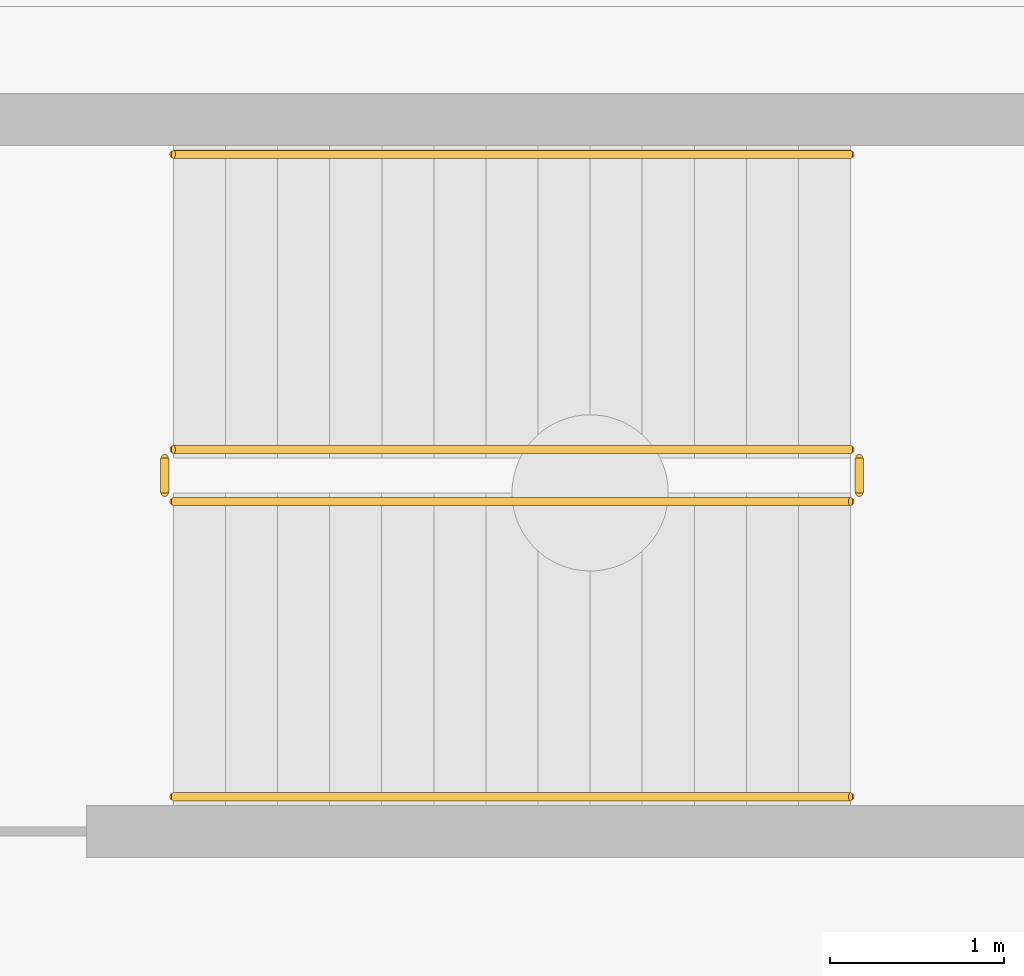
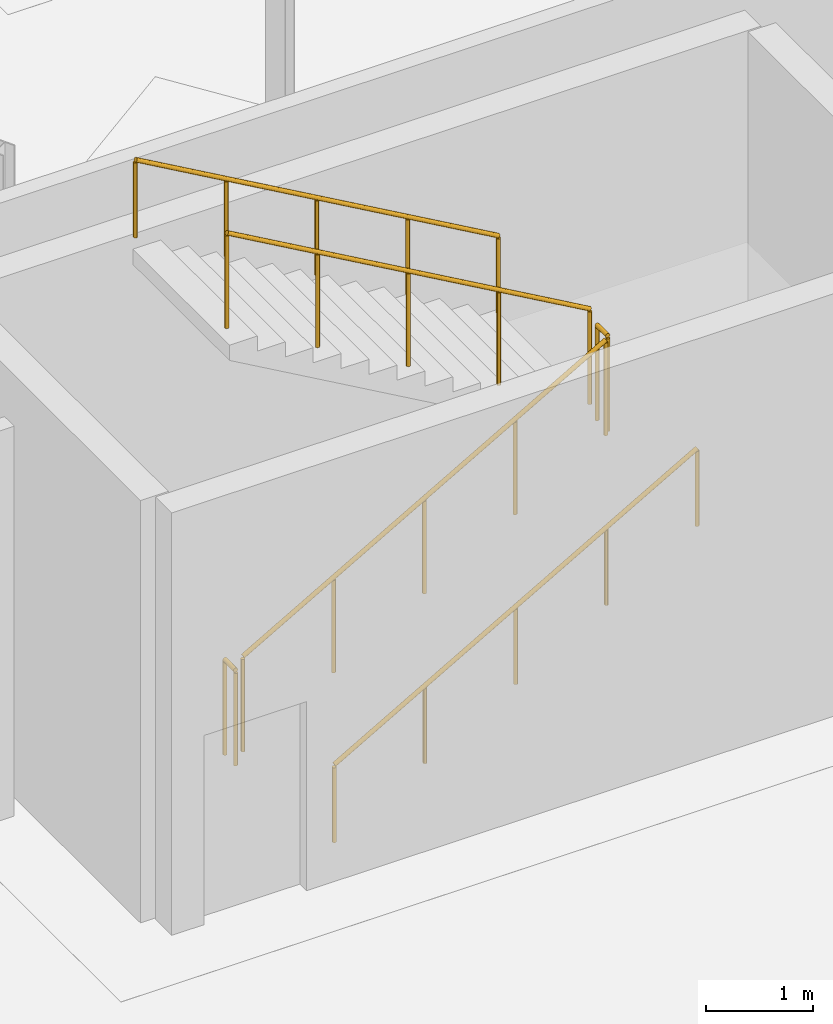
# One storey, part 133 of 136: 6 railings.
"""IFC4 building model written with IfcOpenShell, lengths in metres."""

from ifc_helpers import new_model, si_unit, direction, frame, origin, origin_2d, place, context, subcontext, project, spatial, circle, extrude, material, type_object, element, save


model = new_model("IFC4")

# Units and contexts
model_context = context("Model", 3, precision=1e-05, world=origin(), true_north=direction((0.0, 1.0)))
body_context = subcontext(model_context, "Body", "Model", "MODEL_VIEW")
ifc_project = project(units=[si_unit("LENGTHUNIT", "METRE"), si_unit("AREAUNIT", "SQUARE_METRE"), si_unit("VOLUMEUNIT", "CUBIC_METRE"), si_unit("PLANEANGLEUNIT", "RADIAN"), si_unit("MASSUNIT", "GRAM", prefix="KILO")], contexts=[model_context])

# Site, building, storey
site_placement = place(None, origin())
site = spatial("IfcSite", under=ifc_project, at=site_placement, CompositionType="ELEMENT")
building_placement = place(site_placement, origin())
building = spatial("IfcBuilding", under=site, at=building_placement, Name="Tarnwether General Hospital", CompositionType="ELEMENT")
storey_placement = place(building_placement, frame((0.0, 0.0, -4.800048828125)))
storey = spatial("IfcBuildingStorey", under=building, at=storey_placement, Name="LG", CompositionType="ELEMENT", Elevation=-4.800048828125)

# Railings
ifc_material_1 = material(Name="Anodised aluminium", Category="aluminium")
railing_type_1 = type_object("IfcRailingType", Name="RL-GRD-INT", PredefinedType="GUARDRAIL", material=ifc_material_1)
railing_1_placement = place(storey_placement, frame((113.39990234375, 19.550048828125, 0.17138671875)))
element("IfcRailing", 1, at=railing_1_placement, inside=storey, type_object=railing_type_1, Name="LG ST-10 stair guard 1", PredefinedType="GUARDRAIL", context=body_context, shape_type="SweptSolid", body=[
    extrude(circle(Radius=0.02392578125, at=origin_2d()), frame((0.0, 0.0, 1.076171875), z_axis=(0.868233108195, 0.0, 0.496156497321), x_axis=(0.0, 1.0, 0.0)), (0.0, 0.0, 1.0), 4.491943359375),
    extrude(circle(Radius=0.02099609375, at=origin_2d()), origin(), (0.0, 0.0, 1.0), 1.052001953125),
    extrude(circle(Radius=0.02099609375, at=origin_2d()), frame((0.97509765625, 0.0, 0.55712890625)), (0.0, 0.0, 1.0), 1.052001953125),
    extrude(circle(Radius=0.02099609375, at=origin_2d()), frame((1.9501953125, 0.0, 1.1142578125)), (0.0, 0.0, 1.0), 1.052001953125),
    extrude(circle(Radius=0.02099609375, at=origin_2d()), frame((2.925048828125, 0.0, 1.671630859375)), (0.0, 0.0, 1.0), 1.052001953125),
    extrude(circle(Radius=0.02099609375, at=origin_2d()), frame((3.900146484375, 0.0, 2.228759765625)), (0.0, 0.0, 1.0), 1.052001953125),
])
railing_2_placement = place(storey_placement, frame((117.35009765625, 19.60009765625, 2.400146484375)))
element("IfcRailing", 2, at=railing_2_placement, inside=storey, type_object=railing_type_1, Name="LG ST-10 stair guard 2", PredefinedType="GUARDRAIL", context=body_context, shape_type="SweptSolid", body=[
    extrude(circle(Radius=0.02392578125, at=origin_2d()), frame((0.0, 0.0, 1.076171875), z_axis=(0.0, 1.0, 0.0), x_axis=(-1.0, 0.0, 0.0)), (0.0, 0.0, 1.0), 0.199951171875),
    extrude(circle(Radius=0.02099609375, at=origin_2d()), origin(), (0.0, 0.0, 1.0), 1.052001953125),
    extrude(circle(Radius=0.02099609375, at=origin_2d()), frame((0.0, 0.199951171875, 0.0)), (0.0, 0.0, 1.0), 1.052001953125),
])
railing_3_placement = place(storey_placement, frame((117.300048828125, 19.85009765625, 2.571533203125)))
element("IfcRailing", 3, at=railing_3_placement, inside=storey, type_object=railing_type_1, Name="LG ST-10 stair guard 3", PredefinedType="GUARDRAIL", context=body_context, shape_type="SweptSolid", body=[
    extrude(circle(Radius=0.02392578125, at=origin_2d()), frame((0.0, 0.0, 1.076171875), z_axis=(-0.868256520506, 0.0, 0.496115525457), x_axis=(0.0, -1.0, 0.0)), (0.0, 0.0, 1.0), 4.491943359375),
    extrude(circle(Radius=0.02099609375, at=origin_2d()), origin(), (0.0, 0.0, 1.0), 1.052001953125),
    extrude(circle(Radius=0.02099609375, at=origin_2d()), frame((-0.97509765625, 0.0, 0.55712890625)), (0.0, 0.0, 1.0), 1.052001953125),
    extrude(circle(Radius=0.02099609375, at=origin_2d()), frame((-1.9501953125, 0.0, 1.1142578125)), (0.0, 0.0, 1.0), 1.052001953125),
    extrude(circle(Radius=0.02099609375, at=origin_2d()), frame((-2.925048828125, 0.0, 1.67138671875)), (0.0, 0.0, 1.0), 1.052001953125),
    extrude(circle(Radius=0.02099609375, at=origin_2d()), frame((-3.900146484375, 0.0, 2.228515625)), (0.0, 0.0, 1.0), 1.052001953125),
])
railing_4_placement = place(storey_placement, frame((113.35009765625, 19.60009765625, 0.0)))
element("IfcRailing", 4, at=railing_4_placement, inside=storey, type_object=railing_type_1, Name="LG ST-10 stair guard 4", PredefinedType="GUARDRAIL", context=body_context, shape_type="SweptSolid", body=[
    extrude(circle(Radius=0.02392578125, at=origin_2d()), frame((0.0, 0.0, 1.076171875), z_axis=(0.0, 1.0, 0.0), x_axis=(-1.0, 0.0, 0.0)), (0.0, 0.0, 1.0), 0.199951171875),
    extrude(circle(Radius=0.02099609375, at=origin_2d()), origin(), (0.0, 0.0, 1.0), 1.052001953125),
    extrude(circle(Radius=0.02099609375, at=origin_2d()), frame((0.0, 0.199951171875, 0.0)), (0.0, 0.0, 1.0), 1.052001953125),
])
ifc_material_2 = material(Name="Anodised aluminium", Category="aluminium")
railing_type_2 = type_object("IfcRailingType", Name="RL-HND-INT", PredefinedType="HANDRAIL", material=ifc_material_2)
railing_5_placement = place(storey_placement, frame((113.39990234375, 17.85009765625, 0.17138671875)))
element("IfcRailing", 5, at=railing_5_placement, inside=storey, type_object=railing_type_2, Name="LG ST-10 stair handrail 1", PredefinedType="HANDRAIL", context=body_context, shape_type="SweptSolid", body=[
    extrude(circle(Radius=0.02392578125, at=origin_2d()), frame((0.0, 0.0, 0.8759765625), z_axis=(0.868233108195, 0.0, 0.496156497321), x_axis=(0.0, 1.0, 0.0)), (0.0, 0.0, 1.0), 4.491943359375),
    extrude(circle(Radius=0.02099609375, at=origin_2d()), origin(), (0.0, 0.0, 1.0), 0.851806640625),
    extrude(circle(Radius=0.02099609375, at=origin_2d()), frame((0.97509765625, 0.0, 0.55712890625)), (0.0, 0.0, 1.0), 0.851806640625),
    extrude(circle(Radius=0.02099609375, at=origin_2d()), frame((1.9501953125, 0.0, 1.1142578125)), (0.0, 0.0, 1.0), 0.851806640625),
    extrude(circle(Radius=0.02099609375, at=origin_2d()), frame((2.925048828125, 0.0, 1.671630859375)), (0.0, 0.0, 1.0), 0.851806640625),
    extrude(circle(Radius=0.02099609375, at=origin_2d()), frame((3.900146484375, 0.0, 2.228759765625)), (0.0, 0.0, 1.0), 0.851806640625),
])
railing_6_placement = place(storey_placement, frame((117.300048828125, 21.550048828125, 2.571533203125)))
element("IfcRailing", 6, at=railing_6_placement, inside=storey, type_object=railing_type_2, Name="LG ST-10 stair handrail 2", PredefinedType="HANDRAIL", context=body_context, shape_type="SweptSolid", body=[
    extrude(circle(Radius=0.02392578125, at=origin_2d()), frame((0.0, 0.0, 0.8759765625), z_axis=(-0.868256520506, 0.0, 0.496115525457), x_axis=(0.0, -1.0, 0.0)), (0.0, 0.0, 1.0), 4.491943359375),
    extrude(circle(Radius=0.02099609375, at=origin_2d()), origin(), (0.0, 0.0, 1.0), 0.851806640625),
    extrude(circle(Radius=0.02099609375, at=origin_2d()), frame((-0.97509765625, 0.0, 0.55712890625)), (0.0, 0.0, 1.0), 0.851806640625),
    extrude(circle(Radius=0.02099609375, at=origin_2d()), frame((-1.9501953125, 0.0, 1.1142578125)), (0.0, 0.0, 1.0), 0.851806640625),
    extrude(circle(Radius=0.02099609375, at=origin_2d()), frame((-2.925048828125, 0.0, 1.67138671875)), (0.0, 0.0, 1.0), 0.851806640625),
    extrude(circle(Radius=0.02099609375, at=origin_2d()), frame((-3.900146484375, 0.0, 2.228515625)), (0.0, 0.0, 1.0), 0.851806640625),
])

save(model, "model.ifc")
